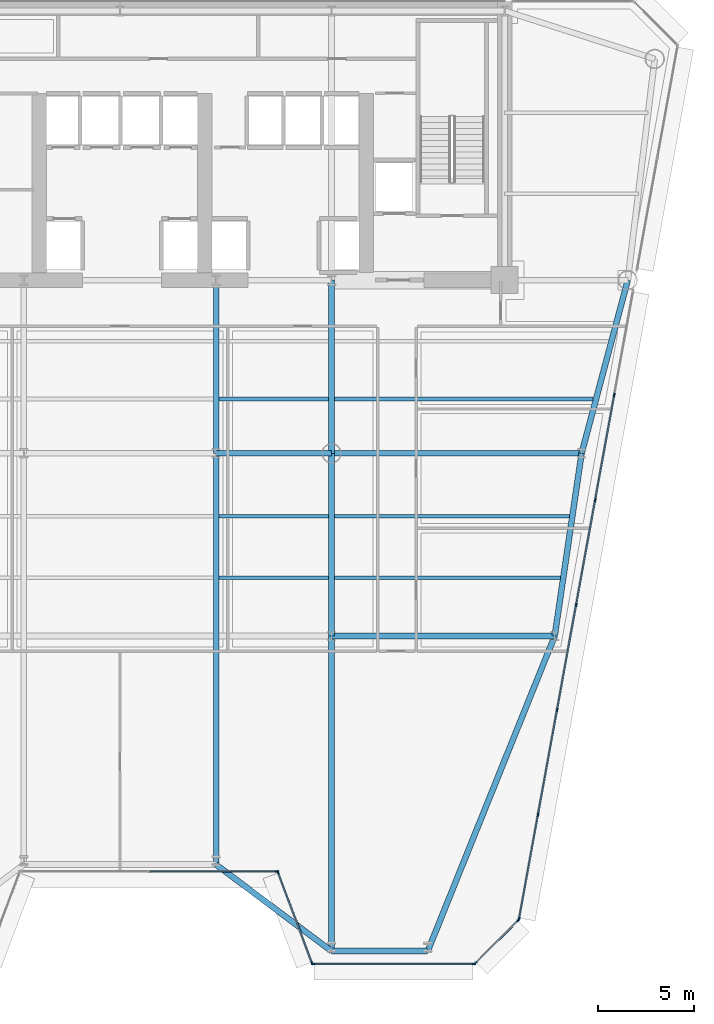
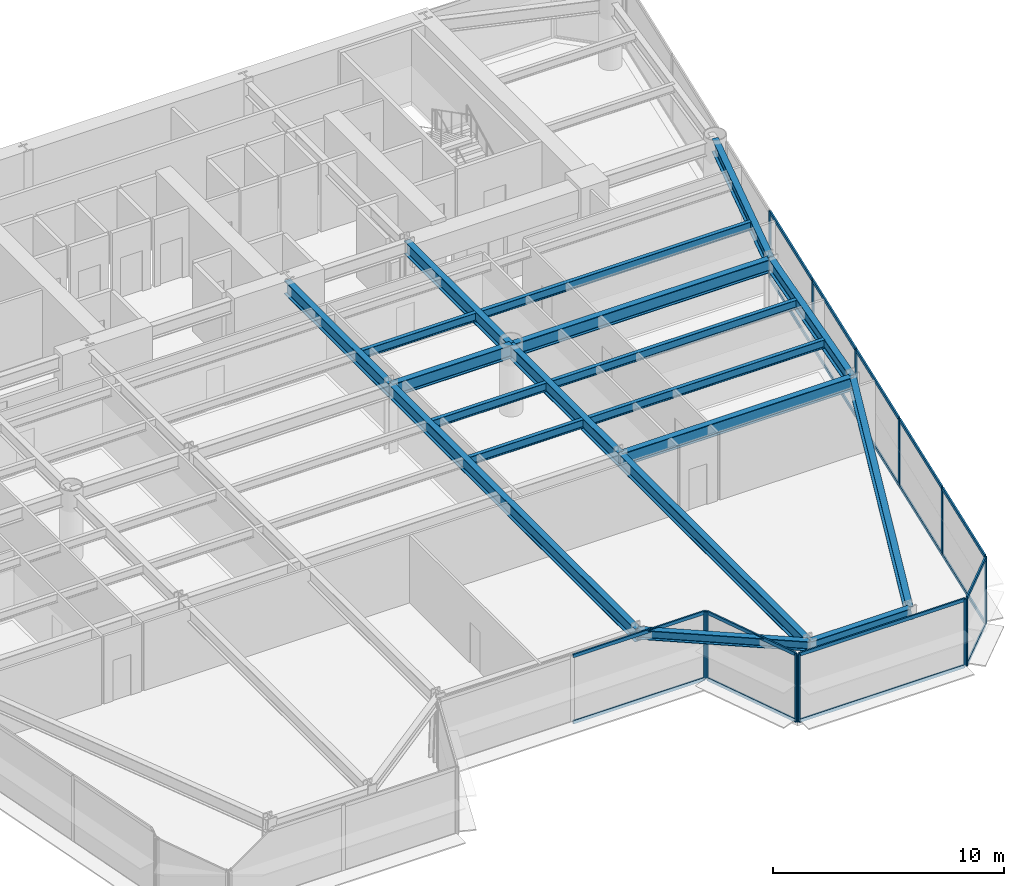
# One storey, part 4 of 14: 31 members, 19 beams, 5 elements without a shape of their own.
"""IFC4 building model written with IfcOpenShell, lengths in metres."""

from ifc_helpers import new_model, si_unit, direction, frame, origin, origin_2d, place, context, subcontext, project, spatial, rectangle, i_section, extrude, source, transform, mapped, material, layer, layer_set, material_profile, profile_set, type_object, element, aggregate, save


model = new_model("IFC4")

# Units and contexts
model_context = context("Model", 3, precision=1e-05, world=origin(), true_north=direction((0.0, 1.0)))
body_context = subcontext(model_context, "Body", "Model", "MODEL_VIEW")
ifc_project = project(units=[si_unit("LENGTHUNIT", "METRE"), si_unit("AREAUNIT", "SQUARE_METRE"), si_unit("VOLUMEUNIT", "CUBIC_METRE"), si_unit("PLANEANGLEUNIT", "RADIAN"), si_unit("MASSUNIT", "GRAM", prefix="KILO")], contexts=[model_context])

# Site, building, storey
site_placement = place(None, origin())
site = spatial("IfcSite", under=ifc_project, at=site_placement, CompositionType="ELEMENT")
building_placement = place(site_placement, origin())
building = spatial("IfcBuilding", under=site, at=building_placement, Name="Vaeldorn Concourse Tower", CompositionType="ELEMENT")
storey_placement = place(building_placement, frame((0.0, 0.0, 130.0)))
storey = spatial("IfcBuildingStorey", under=building, at=storey_placement, Name="L33", CompositionType="ELEMENT", Elevation=130.0)

# Beams
ifc_material_1 = material(Name="Steel S355", Category="steel")
ifc_material_profile_1 = material_profile(ifc_material_1, i_section(OverallWidth=0.300048828125, OverallDepth=0.699951171875, WebThickness=0.01708984375, FlangeThickness=0.031982421875, FilletRadius=0.027099609375, at=origin_2d()), Name="HEB 700")
ifc_profile_set_1 = profile_set([ifc_material_profile_1], Name="Steel S355")
beam_type_1 = type_object("IfcBeamType", Name="BM-PG-HEB700", PredefinedType="BEAM", material=ifc_profile_set_1)
shared_shape_1 = source(origin(), body_context, "Body", "SweptSolid", [
    extrude(i_section(OverallWidth=0.300048828125, OverallDepth=0.699951171875, WebThickness=0.01708984375, FlangeThickness=0.031982421875, FilletRadius=0.027099609375, at=origin_2d()), origin(), (0.0, 0.0, 1.0), 6.0),
])
beam_1_placement = place(storey_placement, frame((39.0, 27.5, 3.22998046875), z_axis=(1.0, 0.0, 0.0), x_axis=(0.0, 1.0, 0.0)))
element("IfcBeam", 1, at=beam_1_placement, inside=storey, type_object=beam_type_1, Name="Beam BM-L33-C-TW3-C-TW4", PredefinedType="BEAM", context=body_context, shape_type="MappedRepresentation", body=[
    mapped(shared_shape_1, transform((0.0, 0.0, 0.0), scale=1.0)),
])
shared_shape_2 = source(origin(), body_context, "Body", "SweptSolid", [
    extrude(i_section(OverallWidth=0.300048828125, OverallDepth=0.699951171875, WebThickness=0.01708984375, FlangeThickness=0.031982421875, FilletRadius=0.027099609375, at=origin_2d()), origin(), (0.0, 0.0, 1.0), 9.0),
])
for number, where, z_axis, x_axis, name in (
    (2, (39.0, 27.5, 3.22998046875), (0.0, 1.0, 0.0), (-1.0, 0.0, 0.0), "Beam BM-L33-C-TW3-C-FC4"),
    (3, (45.0, 27.5, 3.22998046875), (0.0, 1.0, 0.0), (-1.0, 0.0, 0.0), "Beam BM-L33-C-TW4-C-FC5"),
):
    element("IfcBeam", number, at=place(storey_placement, frame(where, z_axis=z_axis, x_axis=x_axis)), inside=storey, type_object=beam_type_1, Name=name, PredefinedType="BEAM", context=body_context, shape_type="MappedRepresentation", body=[
        mapped(shared_shape_2, transform((0.0, 0.0, 0.0), scale=1.0)),
    ])
shared_shape_3 = source(origin(), body_context, "Body", "SweptSolid", [
    extrude(i_section(OverallWidth=0.300048828125, OverallDepth=0.699951171875, WebThickness=0.01708984375, FlangeThickness=0.031982421875, FilletRadius=0.027099609375, at=origin_2d()), origin(), (0.0, 0.0, 1.0), 9.314453125),
])
beam_2_placement = place(storey_placement, frame((60.39990234375, 36.5, 3.22998046875), z_axis=(-0.257652862255, -0.966237549763, 0.0), x_axis=(0.966237549763, -0.257652862255, 0.0)))
element("IfcBeam", 4, at=beam_2_placement, inside=storey, type_object=beam_type_1, Name="Beam BM-L33-C-NE2-C-FLE1", PredefinedType="BEAM", context=body_context, shape_type="MappedRepresentation", body=[
    mapped(shared_shape_3, transform((0.0, 0.0, 0.0), scale=1.0)),
])
shared_shape_4 = source(origin(), body_context, "Body", "SweptSolid", [
    extrude(i_section(OverallWidth=0.300048828125, OverallDepth=0.699951171875, WebThickness=0.01708984375, FlangeThickness=0.031982421875, FilletRadius=0.027099609375, at=origin_2d()), origin(), (0.0, 0.0, 1.0), 13.0),
])
beam_3_placement = place(storey_placement, frame((45.0, 27.5, 3.22998046875), z_axis=(1.0, 0.0, 0.0), x_axis=(0.0, 1.0, 0.0)))
element("IfcBeam", 5, at=beam_3_placement, inside=storey, type_object=beam_type_1, Name="Beam BM-L33-C-TW4-C-FLE1", PredefinedType="BEAM", context=body_context, shape_type="MappedRepresentation", body=[
    mapped(shared_shape_4, transform((0.0, 0.0, 0.0), scale=1.0)),
])
ifc_material_profile_2 = material_profile(ifc_material_1, i_section(OverallWidth=0.300048828125, OverallDepth=0.5, WebThickness=0.014404296875, FlangeThickness=0.028076171875, FilletRadius=0.027099609375, at=origin_2d()), Name="HEB 500")
ifc_profile_set_2 = profile_set([ifc_material_profile_2], Name="Steel S355")
beam_type_2 = type_object("IfcBeamType", Name="BM-SP-HEB500", PredefinedType="SPANDREL", material=ifc_profile_set_2)
shared_shape_5 = source(origin(), body_context, "Body", "SweptSolid", [
    extrude(i_section(OverallWidth=0.300048828125, OverallDepth=0.5, WebThickness=0.014404296875, FlangeThickness=0.028076171875, FilletRadius=0.027099609375, at=origin_2d()), origin(), (0.0, 0.0, 1.0), 5.0),
])
beam_4_placement = place(storey_placement, frame((45.0, 1.6171875, 3.330078125), z_axis=(1.0, 0.0, 0.0), x_axis=(0.0, 1.0, 0.0)))
element("IfcBeam", 6, at=beam_4_placement, inside=storey, type_object=beam_type_2, Name="Beam BM-L33-C-SF5-C-SF6", PredefinedType="SPANDREL", context=body_context, shape_type="MappedRepresentation", body=[
    mapped(shared_shape_5, transform((0.0, 0.0, 0.0), scale=1.0)),
])
shared_shape_6 = source(origin(), body_context, "Body", "SweptSolid", [
    extrude(i_section(OverallWidth=0.300048828125, OverallDepth=0.5, WebThickness=0.014404296875, FlangeThickness=0.028076171875, FilletRadius=0.027099609375, at=origin_2d()), origin(), (0.0, 0.0, 1.0), 7.5),
])
beam_5_placement = place(storey_placement, frame((39.0, 6.1171875, 3.330078125), z_axis=(0.8, -0.6, 0.0), x_axis=(0.6, 0.8, 0.0)))
element("IfcBeam", 7, at=beam_5_placement, inside=storey, type_object=beam_type_2, Name="Beam BM-L33-C-SF4-C-SF5", PredefinedType="SPANDREL", context=body_context, shape_type="MappedRepresentation", body=[
    mapped(shared_shape_6, transform((0.0, 0.0, 0.0), scale=1.0)),
])
shared_shape_7 = source(origin(), body_context, "Body", "SweptSolid", [
    extrude(i_section(OverallWidth=0.300048828125, OverallDepth=0.699951171875, WebThickness=0.01708984375, FlangeThickness=0.031982421875, FilletRadius=0.027099609375, at=origin_2d()), origin(), (0.0, 0.0, 1.0), 9.6025390625),
])
beam_6_placement = place(storey_placement, frame((58.0, 27.5, 3.22998046875), z_axis=(-0.145783835977, -0.989316467652, 0.0), x_axis=(0.989316467652, -0.145783835977, 0.0)))
element("IfcBeam", 8, at=beam_6_placement, inside=storey, type_object=beam_type_1, Name="Beam BM-L33-C-FLE1-C-FLE2", PredefinedType="BEAM", context=body_context, shape_type="MappedRepresentation", body=[
    mapped(shared_shape_7, transform((0.0, 0.0, 0.0), scale=1.0)),
])
shared_shape_8 = source(origin(), body_context, "Body", "SweptSolid", [
    extrude(i_section(OverallWidth=0.300048828125, OverallDepth=0.699951171875, WebThickness=0.01708984375, FlangeThickness=0.031982421875, FilletRadius=0.027099609375, at=origin_2d()), origin(), (0.0, 0.0, 1.0), 11.60009765625),
])
beam_7_placement = place(storey_placement, frame((45.0, 18.0, 3.22998046875), z_axis=(1.0, 0.0, 0.0), x_axis=(0.0, 1.0, 0.0)))
element("IfcBeam", 9, at=beam_7_placement, inside=storey, type_object=beam_type_1, Name="Beam BM-L33-C-TW6-C-FLE2", PredefinedType="BEAM", context=body_context, shape_type="MappedRepresentation", body=[
    mapped(shared_shape_8, transform((0.0, 0.0, 0.0), scale=1.0)),
])
shared_shape_9 = source(origin(), body_context, "Body", "SweptSolid", [
    extrude(i_section(OverallWidth=0.300048828125, OverallDepth=0.699951171875, WebThickness=0.01708984375, FlangeThickness=0.031982421875, FilletRadius=0.027099609375, at=origin_2d()), origin(), (0.0, 0.0, 1.0), 9.5),
])
beam_8_placement = place(storey_placement, frame((45.0, 18.0, 3.22998046875), z_axis=(0.0, 1.0, 0.0), x_axis=(-1.0, 0.0, 0.0)))
element("IfcBeam", 10, at=beam_8_placement, inside=storey, type_object=beam_type_1, Name="Beam BM-L33-C-TW6-C-TW4", PredefinedType="BEAM", context=body_context, shape_type="MappedRepresentation", body=[
    mapped(shared_shape_9, transform((0.0, 0.0, 0.0), scale=1.0)),
])
ifc_material_profile_3 = material_profile(ifc_material_1, i_section(OverallWidth=0.18994140625, OverallDepth=0.449951171875, WebThickness=0.009521484375, FlangeThickness=0.0146484375, FilletRadius=0.02099609375, at=origin_2d()), Name="IPE 450")
ifc_profile_set_3 = profile_set([ifc_material_profile_3], Name="Steel S355")
beam_type_3 = type_object("IfcBeamType", Name="BM-JS-IPE450", PredefinedType="JOIST", material=ifc_profile_set_3)
shared_shape_10 = source(origin(), body_context, "Body", "SweptSolid", [
    extrude(i_section(OverallWidth=0.18994140625, OverallDepth=0.449951171875, WebThickness=0.009521484375, FlangeThickness=0.0146484375, FilletRadius=0.02099609375, at=origin_2d()), origin(), (0.0, 0.0, 1.0), 5.7001953125),
])
for number, where, z_axis, x_axis, name in (
    (11, (39.14990234375, 21.02001953125, 3.35498046875), (1.0, 0.0, 0.0), (0.0, 1.0, 0.0), "Beam JS-L33-E2-210"),
    (12, (39.14990234375, 24.219970703125, 3.35498046875), (1.0, 0.0, 0.0), (0.0, 1.0, 0.0), "Beam JS-L33-E2-242"),
    (13, (39.14990234375, 30.320068359375, 3.35498046875), (1.0, 0.0, 0.0), (0.0, 1.0, 0.0), "Beam JS-L33-E2-303"),
):
    element("IfcBeam", number, at=place(storey_placement, frame(where, z_axis=z_axis, x_axis=x_axis)), inside=storey, type_object=beam_type_3, Name=name, PredefinedType="JOIST", context=body_context, shape_type="MappedRepresentation", body=[
        mapped(shared_shape_10, transform((0.0, 0.0, 0.0), scale=1.0)),
    ])
shared_shape_11 = source(origin(), body_context, "Body", "SweptSolid", [
    extrude(i_section(OverallWidth=0.300048828125, OverallDepth=0.699951171875, WebThickness=0.01708984375, FlangeThickness=0.031982421875, FilletRadius=0.027099609375, at=origin_2d()), origin(), (0.0, 0.0, 1.0), 17.662353515625),
])
beam_9_placement = place(storey_placement, frame((50.0, 1.6171875, 3.22998046875), z_axis=(0.373682201624, 0.927556797285, 0.0), x_axis=(-0.927556797285, 0.373682201624, 0.0)))
element("IfcBeam", 14, at=beam_9_placement, inside=storey, type_object=beam_type_1, Name="Beam BM-L33-C-SF6-C-FLE2", PredefinedType="BEAM", context=body_context, shape_type="MappedRepresentation", body=[
    mapped(shared_shape_11, transform((0.0, 0.0, 0.0), scale=1.0)),
])
shared_shape_12 = source(origin(), body_context, "Body", "SweptSolid", [
    extrude(i_section(OverallWidth=0.300048828125, OverallDepth=0.699951171875, WebThickness=0.01708984375, FlangeThickness=0.031982421875, FilletRadius=0.027099609375, at=origin_2d()), origin(), (0.0, 0.0, 1.0), 16.3828125),
])
beam_10_placement = place(storey_placement, frame((45.0, 1.6171875, 3.22998046875), z_axis=(0.0, 1.0, 0.0), x_axis=(-1.0, 0.0, 0.0)))
element("IfcBeam", 15, at=beam_10_placement, inside=storey, type_object=beam_type_1, Name="Beam BM-L33-C-SF5-C-TW6", PredefinedType="BEAM", context=body_context, shape_type="MappedRepresentation", body=[
    mapped(shared_shape_12, transform((0.0, 0.0, 0.0), scale=1.0)),
])
shared_shape_13 = source(origin(), body_context, "Body", "SweptSolid", [
    extrude(i_section(OverallWidth=0.300048828125, OverallDepth=0.699951171875, WebThickness=0.01708984375, FlangeThickness=0.031982421875, FilletRadius=0.027099609375, at=origin_2d()), origin(), (0.0, 0.0, 1.0), 21.3828125),
])
beam_11_placement = place(storey_placement, frame((39.0, 6.1171875, 3.22998046875), z_axis=(0.0, 1.0, 0.0), x_axis=(-1.0, 0.0, 0.0)))
element("IfcBeam", 16, at=beam_11_placement, inside=storey, type_object=beam_type_1, Name="Beam BM-L33-C-SF4-C-TW3", PredefinedType="BEAM", context=body_context, shape_type="MappedRepresentation", body=[
    mapped(shared_shape_13, transform((0.0, 0.0, 0.0), scale=1.0)),
])
shared_shape_14 = source(origin(), body_context, "Body", "SweptSolid", [
    extrude(i_section(OverallWidth=0.18994140625, OverallDepth=0.449951171875, WebThickness=0.009521484375, FlangeThickness=0.0146484375, FilletRadius=0.02099609375, at=origin_2d()), origin(), (0.0, 0.0, 1.0), 11.7451171875),
])
beam_12_placement = place(storey_placement, frame((45.14990234375, 21.02001953125, 3.35498046875), z_axis=(1.0, 0.0, 0.0), x_axis=(0.0, 1.0, 0.0)))
element("IfcBeam", 17, at=beam_12_placement, inside=storey, type_object=beam_type_3, Name="Beam JS-L33-E1-210", PredefinedType="JOIST", context=body_context, shape_type="MappedRepresentation", body=[
    mapped(shared_shape_14, transform((0.0, 0.0, 0.0), scale=1.0)),
])
shared_shape_15 = source(origin(), body_context, "Body", "SweptSolid", [
    extrude(i_section(OverallWidth=0.18994140625, OverallDepth=0.449951171875, WebThickness=0.009521484375, FlangeThickness=0.0146484375, FilletRadius=0.02099609375, at=origin_2d()), origin(), (0.0, 0.0, 1.0), 12.216796875),
])
beam_13_placement = place(storey_placement, frame((45.14990234375, 24.219970703125, 3.35498046875), z_axis=(1.0, 0.0, 0.0), x_axis=(0.0, 1.0, 0.0)))
element("IfcBeam", 18, at=beam_13_placement, inside=storey, type_object=beam_type_3, Name="Beam JS-L33-E1-242", PredefinedType="JOIST", context=body_context, shape_type="MappedRepresentation", body=[
    mapped(shared_shape_15, transform((0.0, 0.0, 0.0), scale=1.0)),
])
shared_shape_16 = source(origin(), body_context, "Body", "SweptSolid", [
    extrude(i_section(OverallWidth=0.18994140625, OverallDepth=0.449951171875, WebThickness=0.009521484375, FlangeThickness=0.0146484375, FilletRadius=0.02099609375, at=origin_2d()), origin(), (0.0, 0.0, 1.0), 13.4521484375),
])
beam_14_placement = place(storey_placement, frame((45.14990234375, 30.320068359375, 3.35498046875), z_axis=(1.0, 0.0, 0.0), x_axis=(0.0, 1.0, 0.0)))
element("IfcBeam", 19, at=beam_14_placement, inside=storey, type_object=beam_type_3, Name="Beam JS-L33-E1-303", PredefinedType="JOIST", context=body_context, shape_type="MappedRepresentation", body=[
    mapped(shared_shape_16, transform((0.0, 0.0, 0.0), scale=1.0)),
])

# Curtain wall, members
ifc_material_2 = material(Name="Anodised Bronze Aluminium", Category="aluminium")
ifc_layer = layer(ifc_material_2, 0.199951171875)
ifc_layer_set = layer_set([ifc_layer], Name="Anodised Bronze Aluminium")
curtain_wall_type = type_object("IfcCurtainWallType", Name="CW-SYS-02", PredefinedType="NOTDEFINED", material=ifc_layer_set)
curtain_wall_1_placement = place(storey_placement, origin())
curtain_wall_1 = element("IfcCurtainWall", 20, at=curtain_wall_1_placement, inside=storey, type_object=curtain_wall_type, Name="Unitised Curtain Wall CW-L33-E04-1", PredefinedType="NOTDEFINED")
ifc_material_profile_4 = material_profile(ifc_material_2, rectangle(XDim=0.074951171875, YDim=0.179931640625, at=origin_2d()), Name="CWT 75x180")
ifc_profile_set_4 = profile_set([ifc_material_profile_4], Name="Anodised Bronze Aluminium")
member_type_1 = type_object("IfcMemberType", Name="CWT-BRONZE-180", PredefinedType="USERDEFINED", material=ifc_profile_set_4)
shared_shape_17 = source(origin(), body_context, "Body", "SweptSolid", [
    extrude(rectangle(XDim=0.074951171875, YDim=0.179931640625, at=origin_2d()), origin(), (0.0, 0.0, 1.0), 4.976318359375),
])
member_1_placement = place(storey_placement, frame((42.226318359375, 5.68603515625, 0.03759765625), z_axis=(0.351128818119, -0.936327161352, 0.0), x_axis=(0.936327161352, 0.351128818119, 0.0)))
member_1 = element("IfcMember", 21, at=member_1_placement, type_object=member_type_1, Name="CW-02 transom 1.1", ObjectType="TRANSOM", PredefinedType="USERDEFINED", context=body_context, shape_type="MappedRepresentation", body=[
    mapped(shared_shape_17, transform((0.0, 0.0, 0.0), scale=1.0)),
])
member_2_placement = place(storey_placement, frame((42.226318359375, 5.68603515625, 3.54248046875), z_axis=(0.351128818119, -0.936327161352, 0.0), x_axis=(0.936327161352, 0.351128818119, 0.0)))
member_2 = element("IfcMember", 22, at=member_2_placement, type_object=member_type_1, Name="CW-02 transom 1.2", ObjectType="TRANSOM", PredefinedType="USERDEFINED", context=body_context, shape_type="MappedRepresentation", body=[
    mapped(shared_shape_17, transform((0.0, 0.0, 0.0), scale=1.0)),
])

curtain_wall_2_placement = place(storey_placement, origin())
curtain_wall_2 = element("IfcCurtainWall", 23, at=curtain_wall_2_placement, inside=storey, type_object=curtain_wall_type, Name="Unitised Curtain Wall CW-L33-E03-1", PredefinedType="NOTDEFINED")
shared_shape_18 = source(origin(), body_context, "Body", "SweptSolid", [
    extrude(rectangle(XDim=0.074951171875, YDim=0.179931640625, at=origin_2d()), origin(), (0.0, 0.0, 1.0), 6.58740234375),
])
member_3_placement = place(storey_placement, frame((35.53759765625, 5.75634765625, 0.03759765625), z_axis=(1.0, 0.0, 0.0), x_axis=(0.0, 1.0, 0.0)))
member_3 = element("IfcMember", 24, at=member_3_placement, type_object=member_type_1, Name="CW-02 transom 2.1", ObjectType="TRANSOM", PredefinedType="USERDEFINED", context=body_context, shape_type="MappedRepresentation", body=[
    mapped(shared_shape_18, transform((0.0, 0.0, 0.0), scale=1.0)),
])
member_4_placement = place(storey_placement, frame((35.53759765625, 5.75634765625, 3.54248046875), z_axis=(1.0, 0.0, 0.0), x_axis=(0.0, 1.0, 0.0)))
member_4 = element("IfcMember", 25, at=member_4_placement, type_object=member_type_1, Name="CW-02 transom 2.2", ObjectType="TRANSOM", PredefinedType="USERDEFINED", context=body_context, shape_type="MappedRepresentation", body=[
    mapped(shared_shape_18, transform((0.0, 0.0, 0.0), scale=1.0)),
])

curtain_wall_3_placement = place(storey_placement, origin())
curtain_wall_3 = element("IfcCurtainWall", 26, at=curtain_wall_3_placement, inside=storey, type_object=curtain_wall_type, Name="Unitised Curtain Wall CW-L33-E06-1", PredefinedType="NOTDEFINED")
shared_shape_19 = source(origin(), body_context, "Body", "SweptSolid", [
    extrude(rectangle(XDim=0.074951171875, YDim=0.179931640625, at=origin_2d()), origin(), (0.0, 0.0, 1.0), 3.102783203125),
])
member_5_placement = place(storey_placement, frame((52.495849609375, 1.00927734375, 0.03759765625), z_axis=(0.707067437368, 0.707146122816, 0.0), x_axis=(-0.707146122816, 0.707067437368, 0.0)))
member_5 = element("IfcMember", 27, at=member_5_placement, type_object=member_type_1, Name="CW-02 transom 1.1", ObjectType="TRANSOM", PredefinedType="USERDEFINED", context=body_context, shape_type="MappedRepresentation", body=[
    mapped(shared_shape_19, transform((0.0, 0.0, 0.0), scale=1.0)),
])
member_6_placement = place(storey_placement, frame((52.495849609375, 1.00927734375, 3.54248046875), z_axis=(0.707067437368, 0.707146122816, 0.0), x_axis=(-0.707146122816, 0.707067437368, 0.0)))
member_6 = element("IfcMember", 28, at=member_6_placement, type_object=member_type_1, Name="CW-02 transom 1.2", ObjectType="TRANSOM", PredefinedType="USERDEFINED", context=body_context, shape_type="MappedRepresentation", body=[
    mapped(shared_shape_19, transform((0.0, 0.0, 0.0), scale=1.0)),
])

curtain_wall_4_placement = place(storey_placement, origin())
curtain_wall_4 = element("IfcCurtainWall", 29, at=curtain_wall_4_placement, inside=storey, type_object=curtain_wall_type, Name="Unitised Curtain Wall CW-L33-E05-1", PredefinedType="NOTDEFINED")
shared_shape_20 = source(origin(), body_context, "Body", "SweptSolid", [
    extrude(rectangle(XDim=0.074951171875, YDim=0.179931640625, at=origin_2d()), origin(), (0.0, 0.0, 1.0), 8.29296875),
])
member_7_placement = place(storey_placement, frame((44.074951171875, 0.956298828125, 0.03759765625), z_axis=(1.0, 0.0, 0.0), x_axis=(0.0, 1.0, 0.0)))
member_7 = element("IfcMember", 30, at=member_7_placement, type_object=member_type_1, Name="CW-02 transom 1.1", ObjectType="TRANSOM", PredefinedType="USERDEFINED", context=body_context, shape_type="MappedRepresentation", body=[
    mapped(shared_shape_20, transform((0.0, 0.0, 0.0), scale=1.0)),
])
member_8_placement = place(storey_placement, frame((44.074951171875, 0.956298828125, 3.54248046875), z_axis=(1.0, 0.0, 0.0), x_axis=(0.0, 1.0, 0.0)))
member_8 = element("IfcMember", 31, at=member_8_placement, type_object=member_type_1, Name="CW-02 transom 1.2", ObjectType="TRANSOM", PredefinedType="USERDEFINED", context=body_context, shape_type="MappedRepresentation", body=[
    mapped(shared_shape_20, transform((0.0, 0.0, 0.0), scale=1.0)),
])

# Member
ifc_material_profile_5 = material_profile(ifc_material_2, rectangle(XDim=0.074951171875, YDim=0.18994140625, at=origin_2d()), Name="CWM 75x190")
ifc_profile_set_5 = profile_set([ifc_material_profile_5], Name="Anodised Bronze Aluminium")
member_type_2 = type_object("IfcMemberType", Name="CWM-BRONZE-190", PredefinedType="MULLION", material=ifc_profile_set_5)
shared_shape_21 = source(origin(), body_context, "Body", "SweptSolid", [
    extrude(rectangle(XDim=0.074951171875, YDim=0.18994140625, at=origin_2d()), origin(), (0.0, 0.0, 1.0), 3.580078125),
])
member_9_placement = place(storey_placement, frame((42.16259765625, 5.75634765625, 0.0), z_axis=(0.0, 0.0, 1.0), x_axis=(0.0, 1.0, 0.0)))
member_9 = element("IfcMember", 32, at=member_9_placement, type_object=member_type_2, Name="CW-02 mullion 3", PredefinedType="MULLION", context=body_context, shape_type="MappedRepresentation", body=[
    mapped(shared_shape_21, transform((0.0, 0.0, 0.0), scale=1.0)),
])

aggregate(curtain_wall_2, [member_9, member_3, member_4])

member_10_placement = place(storey_placement, frame((42.213134765625, 5.72119140625, 0.0), z_axis=(0.0, 0.0, 1.0), x_axis=(0.936329177566, 0.351123441595, 0.0)))
member_10 = element("IfcMember", 33, at=member_10_placement, type_object=member_type_2, Name="CW-02 mullion 1", PredefinedType="MULLION", context=body_context, shape_type="MappedRepresentation", body=[
    mapped(shared_shape_21, transform((0.0, 0.0, 0.0), scale=1.0)),
])

member_11_placement = place(storey_placement, frame((43.98681640625, 0.991455078125, 0.0), z_axis=(0.0, 0.0, 1.0), x_axis=(0.936329177566, 0.351123441595, 0.0)))
member_11 = element("IfcMember", 34, at=member_11_placement, type_object=member_type_2, Name="CW-02 mullion 2", PredefinedType="MULLION", context=body_context, shape_type="MappedRepresentation", body=[
    mapped(shared_shape_21, transform((0.0, 0.0, 0.0), scale=1.0)),
])

aggregate(curtain_wall_1, [member_10, member_11, member_1, member_2])

member_12_placement = place(storey_placement, frame((44.03759765625, 0.956298828125, 0.0), z_axis=(0.0, 0.0, 1.0), x_axis=(0.0, 1.0, 0.0)))
member_12 = element("IfcMember", 35, at=member_12_placement, type_object=member_type_2, Name="CW-02 mullion 1", PredefinedType="MULLION", context=body_context, shape_type="MappedRepresentation", body=[
    mapped(shared_shape_21, transform((0.0, 0.0, 0.0), scale=1.0)),
])

member_13_placement = place(storey_placement, frame((52.4052734375, 0.956298828125, 0.0), z_axis=(0.0, 0.0, 1.0), x_axis=(0.0, 1.0, 0.0)))
member_13 = element("IfcMember", 36, at=member_13_placement, type_object=member_type_2, Name="CW-02 mullion 2", PredefinedType="MULLION", context=body_context, shape_type="MappedRepresentation", body=[
    mapped(shared_shape_21, transform((0.0, 0.0, 0.0), scale=1.0)),
])

aggregate(curtain_wall_4, [member_12, member_13, member_7, member_8])

member_14_placement = place(storey_placement, frame((52.46923828125, 0.98291015625, 0.0), z_axis=(0.0, 0.0, 1.0), x_axis=(-0.707106781187, 0.707106781187, 0.0)))
member_14 = element("IfcMember", 37, at=member_14_placement, type_object=member_type_2, Name="CW-02 mullion 1", PredefinedType="MULLION", context=body_context, shape_type="MappedRepresentation", body=[
    mapped(shared_shape_21, transform((0.0, 0.0, 0.0), scale=1.0)),
])

member_15_placement = place(storey_placement, frame((54.71630859375, 3.229736328125, 0.0), z_axis=(0.0, 0.0, 1.0), x_axis=(-0.707106781187, 0.707106781187, 0.0)))
member_15 = element("IfcMember", 38, at=member_15_placement, type_object=member_type_2, Name="CW-02 mullion 2", PredefinedType="MULLION", context=body_context, shape_type="MappedRepresentation", body=[
    mapped(shared_shape_21, transform((0.0, 0.0, 0.0), scale=1.0)),
])

aggregate(curtain_wall_3, [member_14, member_15, member_5, member_6])

# Curtain wall, members
curtain_wall_5_placement = place(storey_placement, origin())
curtain_wall_5 = element("IfcCurtainWall", 39, at=curtain_wall_5_placement, inside=storey, type_object=curtain_wall_type, Name="Unitised Curtain Wall CW-L33-E07-1", PredefinedType="NOTDEFINED")
member_16_placement = place(storey_placement, frame((54.74951171875, 3.293212890625, 0.0), z_axis=(0.0, 0.0, 1.0), x_axis=(-0.983890155414, 0.178774053149, 0.0)))
member_16 = element("IfcMember", 40, at=member_16_placement, type_object=member_type_2, Name="CW-02 mullion 1", PredefinedType="MULLION", context=body_context, shape_type="MappedRepresentation", body=[
    mapped(shared_shape_21, transform((0.0, 0.0, 0.0), scale=1.0)),
])
member_17_placement = place(storey_placement, frame((55.73388671875, 8.710693359375, 0.0), z_axis=(0.0, 0.0, 1.0), x_axis=(-0.983890155414, 0.178774053149, 0.0)))
member_17 = element("IfcMember", 41, at=member_17_placement, type_object=member_type_2, Name="CW-02 mullion 2", PredefinedType="MULLION", context=body_context, shape_type="MappedRepresentation", body=[
    mapped(shared_shape_21, transform((0.0, 0.0, 0.0), scale=1.0)),
])
member_18_placement = place(storey_placement, frame((56.724853515625, 14.164794921875, 0.0), z_axis=(0.0, 0.0, 1.0), x_axis=(-0.983890155414, 0.178774053149, 0.0)))
member_18 = element("IfcMember", 42, at=member_18_placement, type_object=member_type_2, Name="CW-02 mullion 3", PredefinedType="MULLION", context=body_context, shape_type="MappedRepresentation", body=[
    mapped(shared_shape_21, transform((0.0, 0.0, 0.0), scale=1.0)),
])
member_19_placement = place(storey_placement, frame((57.716064453125, 19.619140625, 0.0), z_axis=(0.0, 0.0, 1.0), x_axis=(-0.983890155414, 0.178774053149, 0.0)))
member_19 = element("IfcMember", 43, at=member_19_placement, type_object=member_type_2, Name="CW-02 mullion 4", PredefinedType="MULLION", context=body_context, shape_type="MappedRepresentation", body=[
    mapped(shared_shape_21, transform((0.0, 0.0, 0.0), scale=1.0)),
])
member_20_placement = place(storey_placement, frame((58.70703125, 25.073486328125, 0.0), z_axis=(0.0, 0.0, 1.0), x_axis=(-0.983890155414, 0.178774053149, 0.0)))
member_20 = element("IfcMember", 44, at=member_20_placement, type_object=member_type_2, Name="CW-02 mullion 5", PredefinedType="MULLION", context=body_context, shape_type="MappedRepresentation", body=[
    mapped(shared_shape_21, transform((0.0, 0.0, 0.0), scale=1.0)),
])
member_21_placement = place(storey_placement, frame((59.697998046875, 30.52783203125, 0.0), z_axis=(0.0, 0.0, 1.0), x_axis=(-0.983890155414, 0.178774053149, 0.0)))
member_21 = element("IfcMember", 45, at=member_21_placement, type_object=member_type_2, Name="CW-02 mullion 6", PredefinedType="MULLION", context=body_context, shape_type="MappedRepresentation", body=[
    mapped(shared_shape_21, transform((0.0, 0.0, 0.0), scale=1.0)),
])
shared_shape_22 = source(origin(), body_context, "Body", "SweptSolid", [
    extrude(rectangle(XDim=0.074951171875, YDim=0.179931640625, at=origin_2d()), origin(), (0.0, 0.0, 1.0), 5.430908203125),
])
member_22_placement = place(storey_placement, frame((54.756103515625, 3.330078125, 0.03759765625), z_axis=(0.178778628491, 0.983889324058, 0.0), x_axis=(-0.983889324058, 0.178778628491, 0.0)))
member_22 = element("IfcMember", 46, at=member_22_placement, type_object=member_type_1, Name="CW-02 transom 1.1", ObjectType="TRANSOM", PredefinedType="USERDEFINED", context=body_context, shape_type="MappedRepresentation", body=[
    mapped(shared_shape_22, transform((0.0, 0.0, 0.0), scale=1.0)),
])
member_23_placement = place(storey_placement, frame((54.756103515625, 3.330078125, 3.54248046875), z_axis=(0.178778628491, 0.983889324058, 0.0), x_axis=(-0.983889324058, 0.178778628491, 0.0)))
member_23 = element("IfcMember", 47, at=member_23_placement, type_object=member_type_1, Name="CW-02 transom 1.2", ObjectType="TRANSOM", PredefinedType="USERDEFINED", context=body_context, shape_type="MappedRepresentation", body=[
    mapped(shared_shape_22, transform((0.0, 0.0, 0.0), scale=1.0)),
])
shared_shape_23 = source(origin(), body_context, "Body", "SweptSolid", [
    extrude(rectangle(XDim=0.074951171875, YDim=0.179931640625, at=origin_2d()), origin(), (0.0, 0.0, 1.0), 5.468505859375),
])
member_24_placement = place(storey_placement, frame((55.740478515625, 8.74755859375, 0.03759765625), z_axis=(0.178802933745, 0.983884907336, 0.0), x_axis=(-0.983884907336, 0.178802933745, 0.0)))
member_24 = element("IfcMember", 48, at=member_24_placement, type_object=member_type_1, Name="CW-02 transom 2.1", ObjectType="TRANSOM", PredefinedType="USERDEFINED", context=body_context, shape_type="MappedRepresentation", body=[
    mapped(shared_shape_23, transform((0.0, 0.0, 0.0), scale=1.0)),
])
member_25_placement = place(storey_placement, frame((55.740478515625, 8.74755859375, 3.54248046875), z_axis=(0.178802933745, 0.983884907336, 0.0), x_axis=(-0.983884907336, 0.178802933745, 0.0)))
member_25 = element("IfcMember", 49, at=member_25_placement, type_object=member_type_1, Name="CW-02 transom 2.2", ObjectType="TRANSOM", PredefinedType="USERDEFINED", context=body_context, shape_type="MappedRepresentation", body=[
    mapped(shared_shape_23, transform((0.0, 0.0, 0.0), scale=1.0)),
])
member_26_placement = place(storey_placement, frame((58.713623046875, 25.1103515625, 0.03759765625), z_axis=(0.178802933745, 0.983884907336, 0.0), x_axis=(-0.983884907336, 0.178802933745, 0.0)))
member_26 = element("IfcMember", 50, at=member_26_placement, type_object=member_type_1, Name="CW-02 transom 5.1", ObjectType="TRANSOM", PredefinedType="USERDEFINED", context=body_context, shape_type="MappedRepresentation", body=[
    mapped(shared_shape_23, transform((0.0, 0.0, 0.0), scale=1.0)),
])
member_27_placement = place(storey_placement, frame((58.713623046875, 25.1103515625, 3.54248046875), z_axis=(0.178802933745, 0.983884907336, 0.0), x_axis=(-0.983884907336, 0.178802933745, 0.0)))
member_27 = element("IfcMember", 51, at=member_27_placement, type_object=member_type_1, Name="CW-02 transom 5.2", ObjectType="TRANSOM", PredefinedType="USERDEFINED", context=body_context, shape_type="MappedRepresentation", body=[
    mapped(shared_shape_23, transform((0.0, 0.0, 0.0), scale=1.0)),
])
shared_shape_24 = source(origin(), body_context, "Body", "SweptSolid", [
    extrude(rectangle(XDim=0.074951171875, YDim=0.179931640625, at=origin_2d()), origin(), (0.0, 0.0, 1.0), 5.46875),
])
member_28_placement = place(storey_placement, frame((56.731689453125, 14.20166015625, 0.03759765625), z_axis=(0.17875186373, 0.983894187, 0.0), x_axis=(-0.983894187, 0.17875186373, 0.0)))
member_28 = element("IfcMember", 52, at=member_28_placement, type_object=member_type_1, Name="CW-02 transom 3.1", ObjectType="TRANSOM", PredefinedType="USERDEFINED", context=body_context, shape_type="MappedRepresentation", body=[
    mapped(shared_shape_24, transform((0.0, 0.0, 0.0), scale=1.0)),
])
member_29_placement = place(storey_placement, frame((56.731689453125, 14.20166015625, 3.54248046875), z_axis=(0.17875186373, 0.983894187, 0.0), x_axis=(-0.983894187, 0.17875186373, 0.0)))
member_29 = element("IfcMember", 53, at=member_29_placement, type_object=member_type_1, Name="CW-02 transom 3.2", ObjectType="TRANSOM", PredefinedType="USERDEFINED", context=body_context, shape_type="MappedRepresentation", body=[
    mapped(shared_shape_24, transform((0.0, 0.0, 0.0), scale=1.0)),
])
member_30_placement = place(storey_placement, frame((57.72265625, 19.656005859375, 0.03759765625), z_axis=(0.17875186373, 0.983894187, 0.0), x_axis=(-0.983894187, 0.17875186373, 0.0)))
member_30 = element("IfcMember", 54, at=member_30_placement, type_object=member_type_1, Name="CW-02 transom 4.1", ObjectType="TRANSOM", PredefinedType="USERDEFINED", context=body_context, shape_type="MappedRepresentation", body=[
    mapped(shared_shape_24, transform((0.0, 0.0, 0.0), scale=1.0)),
])
member_31_placement = place(storey_placement, frame((57.72265625, 19.656005859375, 3.54248046875), z_axis=(0.17875186373, 0.983894187, 0.0), x_axis=(-0.983894187, 0.17875186373, 0.0)))
member_31 = element("IfcMember", 55, at=member_31_placement, type_object=member_type_1, Name="CW-02 transom 4.2", ObjectType="TRANSOM", PredefinedType="USERDEFINED", context=body_context, shape_type="MappedRepresentation", body=[
    mapped(shared_shape_24, transform((0.0, 0.0, 0.0), scale=1.0)),
])
aggregate(curtain_wall_5, [member_16, member_17, member_18, member_19, member_20, member_21, member_22, member_23, member_24, member_25, member_28, member_29, member_30, member_31, member_26, member_27])

save(model, "model.ifc")
